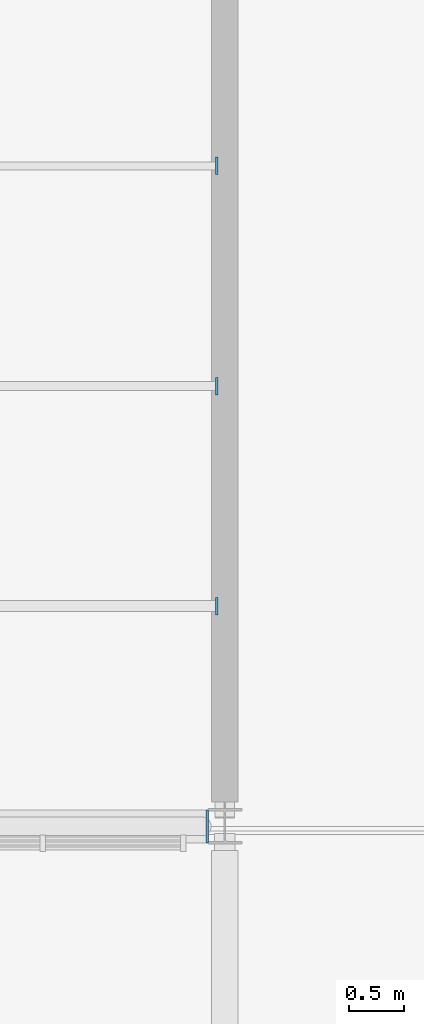
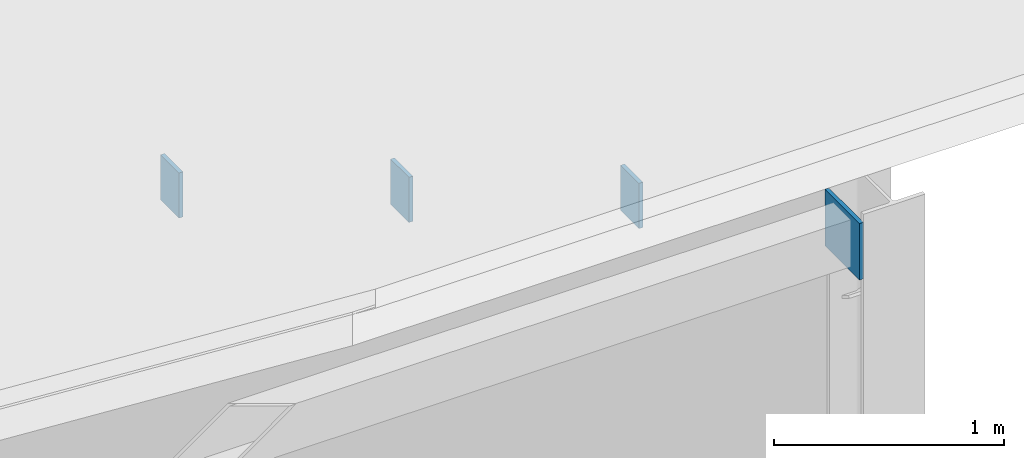
# One storey, part 97 of 155: 4 plates.
"""IFC4 building model written with IfcOpenShell, lengths in metres."""

from ifc_helpers import new_model, si_unit, direction, frame, origin, origin_2d, place, context, subcontext, project, spatial, rectangle, extrude, material, layer, layer_set, type_object, element, save


model = new_model("IFC4")

# Units and contexts
model_context = context("Model", 3, precision=1e-05, world=origin(), true_north=direction((0.0, 1.0)))
body_context = subcontext(model_context, "Body", "Model", "MODEL_VIEW")
ifc_project = project(units=[si_unit("LENGTHUNIT", "METRE"), si_unit("AREAUNIT", "SQUARE_METRE"), si_unit("VOLUMEUNIT", "CUBIC_METRE"), si_unit("PLANEANGLEUNIT", "RADIAN"), si_unit("MASSUNIT", "GRAM", prefix="KILO")], contexts=[model_context])

# Site, building, storey
site_placement = place(None, origin())
site = spatial("IfcSite", under=ifc_project, at=site_placement, CompositionType="ELEMENT")
building_placement = place(site_placement, origin())
building = spatial("IfcBuilding", under=site, at=building_placement, Name="Larkveld Mobility Hub", CompositionType="ELEMENT")
storey_placement = place(building_placement, frame((0.0, 0.0, 8.39990234375)))
storey = spatial("IfcBuildingStorey", under=building, at=storey_placement, Name="L02", CompositionType="ELEMENT", Elevation=8.39990234375)

# Plates
ifc_material = material(Name="Steel S355JR", Category="steel")
ifc_layer_1 = layer(ifc_material, 0.02001953125, Name="Steel S355JR", Category="steel")
ifc_layer_set_1 = layer_set([ifc_layer_1], Name="Steel S355JR")
plate_type_1 = type_object("IfcPlateType", Name="PT-EC01", PredefinedType="USERDEFINED", material=ifc_layer_set_1)
plate_placement = place(storey_placement, frame((183.840087890625, 84.0, 7.80029296875), z_axis=(0.0, 0.0, 1.0), x_axis=(1.0, 0.0, 0.0)))
element("IfcPlate", 1, at=plate_placement, inside=storey, type_object=plate_type_1, Name="Hollow Chord End Cap Plate EC-045", ObjectType="GUSSET PLATE", PredefinedType="USERDEFINED", context=body_context, shape_type="SweptSolid", body=[
    extrude(rectangle(XDim=0.02001953125, YDim=0.300048828125, at=origin_2d()), origin(), (0.0, 0.0, 1.0), 0.300048828125),
])
ifc_layer_2 = layer(ifc_material, 0.02001953125, Name="Steel S355JR", Category="steel")
ifc_layer_set_2 = layer_set([ifc_layer_2], Name="Steel S355JR")
plate_type_2 = type_object("IfcPlateType", Name="PT-EC02", PredefinedType="USERDEFINED", material=ifc_layer_set_2)
for number, where, z_axis, x_axis, name in (
    (2, (183.927978515625, 86.0, 6.787109375), (0.0, 0.0, 1.0), (1.0, 0.0, 0.0), "Hollow Purlin End Cap Plate PEC-183"),
    (3, (183.927978515625, 88.0, 5.60693359375), (0.0, 0.0, 1.0), (1.0, 0.0, 0.0), "Hollow Purlin End Cap Plate PEC-191"),
    (4, (183.927978515625, 90.0, 4.4169921875), (0.0, 0.0, 1.0), (1.0, 0.0, 0.0), "Hollow Purlin End Cap Plate PEC-199"),
):
    element("IfcPlate", number, at=place(storey_placement, frame(where, z_axis=z_axis, x_axis=x_axis)), inside=storey, type_object=plate_type_2, Name=name, ObjectType="GUSSET PLATE", PredefinedType="USERDEFINED", context=body_context, shape_type="SweptSolid", body=[
        extrude(rectangle(XDim=0.02001953125, YDim=0.159912109375, at=origin_2d()), origin(), (0.0, 0.0, 1.0), 0.239990234375),
    ])

save(model, "model.ifc")
